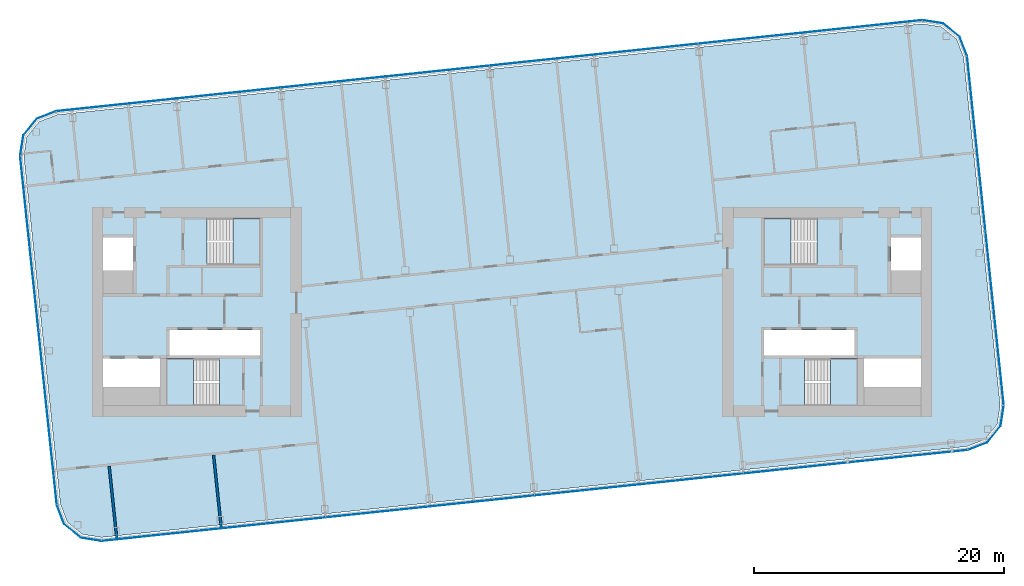
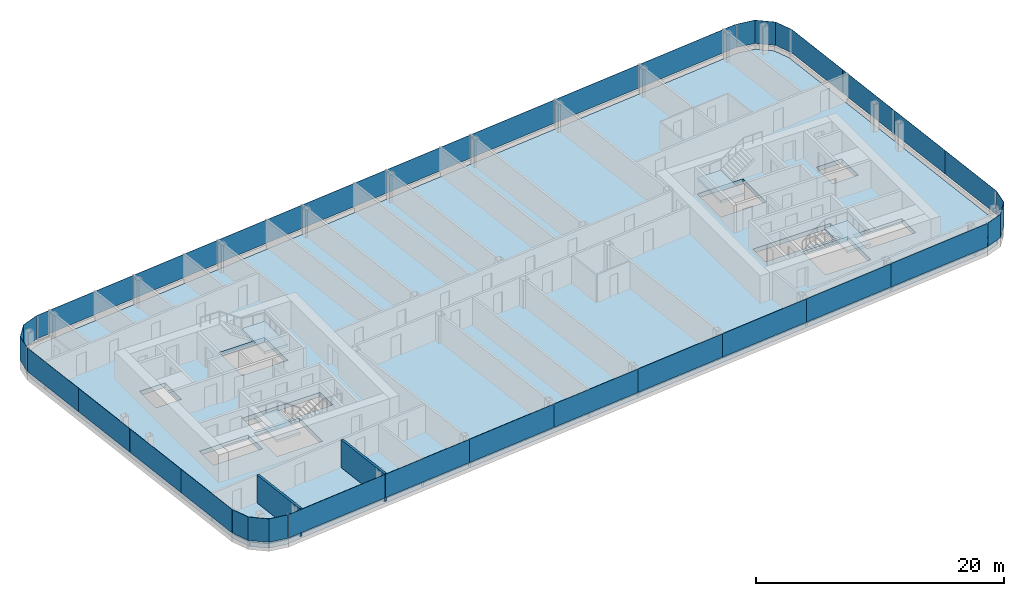
# One storey, part 13 of 26: 28 plates, 5 slabs, 2 walls, 12 elements without a shape of their own.
"""IFC4 building model written with IfcOpenShell, lengths in metres."""

from ifc_helpers import new_model, si_unit, direction, frame, frame_2d, origin, origin_2d, place, context, subcontext, project, spatial, polyline, rectangle, outline, extrude, material, layer, layer_set, type_object, element, aggregate, save


model = new_model("IFC4")

# Units and contexts
model_context = context("Model", 3, precision=1e-05, world=origin(), true_north=direction((0.0, 1.0)))
body_context = subcontext(model_context, "Body", "Model", "MODEL_VIEW")
ifc_project = project(units=[si_unit("LENGTHUNIT", "METRE"), si_unit("AREAUNIT", "SQUARE_METRE"), si_unit("VOLUMEUNIT", "CUBIC_METRE"), si_unit("PLANEANGLEUNIT", "RADIAN"), si_unit("MASSUNIT", "GRAM", prefix="KILO")], contexts=[model_context])

# Site, building, storey
site_placement = place(None, origin())
site = spatial("IfcSite", under=ifc_project, at=site_placement, CompositionType="ELEMENT")
building_placement = place(site_placement, origin())
building = spatial("IfcBuilding", under=site, at=building_placement, Name="Hakoniwa Tower and Hamabe Station Hall", CompositionType="ELEMENT")
storey_placement = place(building_placement, frame((0.0, 0.0, 251.800048828125)))
storey = spatial("IfcBuildingStorey", under=building, at=storey_placement, Name="L71", CompositionType="ELEMENT", Elevation=251.800048828125)

# Stair, slab
ifc_material_1 = material(Name="Concrete C40", Category="concrete")
stair_type = type_object("IfcStairType", Name="ESCAPE STAIR 1800", PredefinedType="HALF_TURN_STAIR", material=ifc_material_1)
stair_1_placement = place(storey_placement, origin())
stair_1 = element("IfcStair", 1, at=stair_1_placement, inside=storey, type_object=stair_type, Name="Escape stair ST-1 L71", PredefinedType="HALF_TURN_STAIR")
ifc_material_2 = material(Name="Concrete C40", Category="concrete")
ifc_layer_1 = layer(ifc_material_2, 0.25)
ifc_layer_set_1 = layer_set([ifc_layer_1], Name="CORE STAIR LANDING 250")
slab_type_1 = type_object("IfcSlabType", Name="CORE STAIR LANDING 250", PredefinedType="LANDING", material=ifc_layer_set_1)
slab_1_placement = place(storey_placement, frame((0.0, 0.0, 1.349853515625)))
slab_1 = element("IfcSlab", 2, at=slab_1_placement, type_object=slab_type_1, Name="ST-1 landing 1", PredefinedType="LANDING", context=body_context, shape_type="SweptSolid", body=[
    extrude(outline(polyline([(-22.320068359375, 3.75), (-20.14990234375, 3.75), (-20.14990234375, 7.5), (-22.320068359375, 7.5), (-22.320068359375, 3.75)])), origin(), (0.0, 0.0, 1.0), 0.25),
])
aggregate(stair_1, [slab_1])

stair_2_placement = place(storey_placement, origin())
stair_2 = element("IfcStair", 3, at=stair_2_placement, inside=storey, type_object=stair_type, Name="Escape stair ST-2 L71", PredefinedType="HALF_TURN_STAIR")
slab_2_placement = place(storey_placement, frame((0.0, 0.0, 1.349853515625)))
slab_2 = element("IfcSlab", 4, at=slab_2_placement, type_object=slab_type_1, Name="ST-2 landing 1", PredefinedType="LANDING", context=body_context, shape_type="SweptSolid", body=[
    extrude(outline(polyline([(-25.47998046875, -7.5), (-27.64990234375, -7.5), (-27.64990234375, -3.75), (-25.47998046875, -3.75), (-25.47998046875, -7.5)])), origin(), (0.0, 0.0, 1.0), 0.25),
])
aggregate(stair_2, [slab_2])

stair_3_placement = place(storey_placement, origin())
stair_3 = element("IfcStair", 5, at=stair_3_placement, inside=storey, type_object=stair_type, Name="Escape stair ST-3 L71", PredefinedType="HALF_TURN_STAIR")
slab_3_placement = place(storey_placement, frame((0.0, 0.0, 1.349853515625)))
slab_3 = element("IfcSlab", 6, at=slab_3_placement, type_object=slab_type_1, Name="ST-3 landing 1", PredefinedType="LANDING", context=body_context, shape_type="SweptSolid", body=[
    extrude(outline(polyline([(22.320068359375, 3.75), (20.14990234375, 3.75), (20.14990234375, 7.5), (22.320068359375, 7.5), (22.320068359375, 3.75)])), origin(), (0.0, 0.0, 1.0), 0.25),
])
aggregate(stair_3, [slab_3])

stair_4_placement = place(storey_placement, origin())
stair_4 = element("IfcStair", 7, at=stair_4_placement, inside=storey, type_object=stair_type, Name="Escape stair ST-4 L71", PredefinedType="HALF_TURN_STAIR")
slab_4_placement = place(storey_placement, frame((0.0, 0.0, 1.349853515625)))
slab_4 = element("IfcSlab", 8, at=slab_4_placement, type_object=slab_type_1, Name="ST-4 landing 1", PredefinedType="LANDING", context=body_context, shape_type="SweptSolid", body=[
    extrude(outline(polyline([(25.47998046875, -7.5), (27.64990234375, -7.5), (27.64990234375, -3.75), (25.47998046875, -3.75), (25.47998046875, -7.5)])), origin(), (0.0, 0.0, 1.0), 0.25),
])
aggregate(stair_4, [slab_4])

# Curtain wall, plates
ifc_material_3 = material(Name="Dark low-e laminated glass", Category="glass")
ifc_layer_2 = layer(ifc_material_3, 0.199951171875)
ifc_layer_set_2 = layer_set([ifc_layer_2], Name="CW-1 UNITISED GUEST")
curtain_wall_type = type_object("IfcCurtainWallType", Name="CW-1 UNITISED GUEST", PredefinedType="NOTDEFINED", material=ifc_layer_set_2)
curtain_wall_1_placement = place(storey_placement, origin())
curtain_wall_1 = element("IfcCurtainWall", 9, at=curtain_wall_1_placement, inside=storey, type_object=curtain_wall_type, Name="CW-1 curtain wall", PredefinedType="NOTDEFINED")
ifc_material_4 = material(Name="Dark low-e laminated glass", Category="glass")
ifc_layer_3 = layer(ifc_material_4, 0.028076171875)
ifc_layer_set_3 = layer_set([ifc_layer_3], Name="CW-1 GLASS UNIT")
plate_type = type_object("IfcPlateType", Name="CW-1 GLASS UNIT", PredefinedType="CURTAIN_PANEL", material=ifc_layer_set_3)
plate_1_placement = place(storey_placement, frame((38.97802734375, -3.990966796875, 0.35009765625), z_axis=(0.0, 0.0, 1.0), x_axis=(-0.104528468631, 0.994521894805, 0.0)))
plate_1 = element("IfcPlate", 10, at=plate_1_placement, type_object=plate_type, Name="CW-1 glass unit", PredefinedType="CURTAIN_PANEL", context=body_context, shape_type="SweptSolid", body=[
    extrude(rectangle(XDim=6.999755859375, YDim=0.028076171875, at=origin_2d()), origin(), (0.0, 0.0, 1.0), 2.300048828125),
])
plate_2_placement = place(storey_placement, frame((38.244140625, 2.990478515625, 0.35009765625), z_axis=(0.0, 0.0, 1.0), x_axis=(-0.104528468631, 0.994521894805, 0.0)))
plate_2 = element("IfcPlate", 11, at=plate_2_placement, type_object=plate_type, Name="CW-1 glass unit", PredefinedType="CURTAIN_PANEL", context=body_context, shape_type="SweptSolid", body=[
    extrude(rectangle(XDim=6.999755859375, YDim=0.028076171875, at=origin_2d()), origin(), (0.0, 0.0, 1.0), 2.300048828125),
])
plate_3_placement = place(storey_placement, frame((37.510498046875, 9.9716796875, 0.35009765625), z_axis=(0.0, 0.0, 1.0), x_axis=(-0.104528468631, 0.994521894805, 0.0)))
plate_3 = element("IfcPlate", 12, at=plate_3_placement, type_object=plate_type, Name="CW-1 glass unit", PredefinedType="CURTAIN_PANEL", context=body_context, shape_type="SweptSolid", body=[
    extrude(rectangle(XDim=6.999755859375, YDim=0.028076171875, at=origin_2d()), origin(), (0.0, 0.0, 1.0), 2.300048828125),
])
plate_4_placement = place(storey_placement, frame((36.776611328125, 16.953125, 0.35009765625), z_axis=(0.0, 0.0, 1.0), x_axis=(-0.104528468631, 0.994521894805, 0.0)))
plate_4 = element("IfcPlate", 13, at=plate_4_placement, type_object=plate_type, Name="CW-1 glass unit", PredefinedType="CURTAIN_PANEL", context=body_context, shape_type="SweptSolid", body=[
    extrude(rectangle(XDim=6.999755859375, YDim=0.028076171875, at=origin_2d()), origin(), (0.0, 0.0, 1.0), 2.300048828125),
])
aggregate(curtain_wall_1, [plate_1, plate_2, plate_3, plate_4])

# Curtain wall, plate
curtain_wall_2_placement = place(storey_placement, origin())
curtain_wall_2 = element("IfcCurtainWall", 14, at=curtain_wall_2_placement, inside=storey, type_object=curtain_wall_type, Name="CW-1 curtain wall", PredefinedType="NOTDEFINED")
plate_5_placement = place(storey_placement, frame((0.0, 0.0, 0.349853515625)))
plate_5 = element("IfcPlate", 15, at=plate_5_placement, type_object=plate_type, Name="CW-1 curved corner unit", PredefinedType="CURTAIN_PANEL", context=body_context, shape_type="SweptSolid", body=[
    extrude(outline(polyline([(36.409423828125, 20.482421875), (35.82421875, 22.0068359375), (34.492431640625, 23.085205078125), (32.8798828125, 23.340576171875), (32.87548828125, 23.31298828125), (34.480712890625, 23.058837890625), (35.80078125, 21.98974609375), (36.38330078125, 20.472412109375), (36.409423828125, 20.482421875)])), origin(), (0.0, 0.0, 1.0), 2.300048828125),
])
aggregate(curtain_wall_2, [plate_5])

# Curtain wall, plates
curtain_wall_3_placement = place(storey_placement, origin())
curtain_wall_3 = element("IfcCurtainWall", 16, at=curtain_wall_3_placement, inside=storey, type_object=curtain_wall_type, Name="CW-1 curtain wall", PredefinedType="NOTDEFINED")
plate_6_placement = place(storey_placement, frame((28.04833984375, 22.829345703125, 0.35009765625), z_axis=(0.0, 0.0, 1.0), x_axis=(-0.994521895272, -0.104528464188, 0.0)))
plate_6 = element("IfcPlate", 17, at=plate_6_placement, type_object=plate_type, Name="CW-1 glass unit", PredefinedType="CURTAIN_PANEL", context=body_context, shape_type="SweptSolid", body=[
    extrude(rectangle(XDim=9.619384765625, YDim=0.028076171875, at=origin_2d()), origin(), (0.0, 0.0, 1.0), 2.300048828125),
])
plate_7_placement = place(storey_placement, frame((19.078125, 21.886474609375, 0.35009765625), z_axis=(0.0, 0.0, 1.0), x_axis=(-0.994521895272, -0.104528464188, 0.0)))
plate_7 = element("IfcPlate", 18, at=plate_7_placement, type_object=plate_type, Name="CW-1 glass unit", PredefinedType="CURTAIN_PANEL", context=body_context, shape_type="SweptSolid", body=[
    extrude(rectangle(XDim=8.3798828125, YDim=0.028076171875, at=origin_2d()), origin(), (0.0, 0.0, 1.0), 2.300048828125),
])
plate_8_placement = place(storey_placement, frame((10.72412109375, 21.00830078125, 0.35009765625), z_axis=(0.0, 0.0, 1.0), x_axis=(-0.994521895272, -0.104528464188, 0.0)))
plate_8 = element("IfcPlate", 19, at=plate_8_placement, type_object=plate_type, Name="CW-1 glass unit", PredefinedType="CURTAIN_PANEL", context=body_context, shape_type="SweptSolid", body=[
    extrude(rectangle(XDim=8.3798828125, YDim=0.028076171875, at=origin_2d()), origin(), (0.0, 0.0, 1.0), 2.300048828125),
])
plate_9_placement = place(storey_placement, frame((2.3701171875, 20.13037109375, 0.35009765625), z_axis=(0.0, 0.0, 1.0), x_axis=(-0.994521895272, -0.104528464188, 0.0)))
plate_9 = element("IfcPlate", 20, at=plate_9_placement, type_object=plate_type, Name="CW-1 glass unit", PredefinedType="CURTAIN_PANEL", context=body_context, shape_type="SweptSolid", body=[
    extrude(rectangle(XDim=8.3798828125, YDim=0.028076171875, at=origin_2d()), origin(), (0.0, 0.0, 1.0), 2.300048828125),
])
plate_10_placement = place(storey_placement, frame((-5.98388671875, 19.252197265625, 0.35009765625), z_axis=(0.0, 0.0, 1.0), x_axis=(-0.994521895272, -0.104528464188, 0.0)))
plate_10 = element("IfcPlate", 21, at=plate_10_placement, type_object=plate_type, Name="CW-1 glass unit", PredefinedType="CURTAIN_PANEL", context=body_context, shape_type="SweptSolid", body=[
    extrude(rectangle(XDim=8.3798828125, YDim=0.028076171875, at=origin_2d()), origin(), (0.0, 0.0, 1.0), 2.300048828125),
])
plate_11_placement = place(storey_placement, frame((-14.337890625, 18.374267578125, 0.35009765625), z_axis=(0.0, 0.0, 1.0), x_axis=(-0.994521895272, -0.104528464188, 0.0)))
plate_11 = element("IfcPlate", 22, at=plate_11_placement, type_object=plate_type, Name="CW-1 glass unit", PredefinedType="CURTAIN_PANEL", context=body_context, shape_type="SweptSolid", body=[
    extrude(rectangle(XDim=8.3798828125, YDim=0.028076171875, at=origin_2d()), origin(), (0.0, 0.0, 1.0), 2.300048828125),
])
plate_12_placement = place(storey_placement, frame((-22.69189453125, 17.49609375, 0.35009765625), z_axis=(0.0, 0.0, 1.0), x_axis=(-0.994521895272, -0.104528464188, 0.0)))
plate_12 = element("IfcPlate", 23, at=plate_12_placement, type_object=plate_type, Name="CW-1 glass unit", PredefinedType="CURTAIN_PANEL", context=body_context, shape_type="SweptSolid", body=[
    extrude(rectangle(XDim=8.3798828125, YDim=0.028076171875, at=origin_2d()), origin(), (0.0, 0.0, 1.0), 2.300048828125),
])
plate_13_placement = place(storey_placement, frame((-31.662109375, 16.553466796875, 0.35009765625), z_axis=(0.0, 0.0, 1.0), x_axis=(-0.994521895272, -0.104528464188, 0.0)))
plate_13 = element("IfcPlate", 24, at=plate_13_placement, type_object=plate_type, Name="CW-1 glass unit", PredefinedType="CURTAIN_PANEL", context=body_context, shape_type="SweptSolid", body=[
    extrude(rectangle(XDim=9.619384765625, YDim=0.028076171875, at=origin_2d()), origin(), (0.0, 0.0, 1.0), 2.300048828125),
])
aggregate(curtain_wall_3, [plate_6, plate_7, plate_8, plate_9, plate_10, plate_11, plate_12, plate_13])

# Curtain wall, plate
curtain_wall_4_placement = place(storey_placement, origin())
curtain_wall_4 = element("IfcCurtainWall", 25, at=curtain_wall_4_placement, inside=storey, type_object=curtain_wall_type, Name="CW-1 curtain wall", PredefinedType="NOTDEFINED")
plate_14_placement = place(storey_placement, frame((0.0, 0.0, 0.349853515625)))
plate_14 = element("IfcPlate", 26, at=plate_14_placement, type_object=plate_type, Name="CW-1 curved corner unit", PredefinedType="CURTAIN_PANEL", context=body_context, shape_type="SweptSolid", body=[
    extrude(outline(polyline([(-36.494384765625, 16.049072265625), (-38.0185546875, 15.464111328125), (-39.09716796875, 14.13232421875), (-39.3525390625, 12.51953125), (-39.324951171875, 12.51513671875), (-39.070556640625, 14.120361328125), (-38.001708984375, 15.440673828125), (-36.484375, 16.02294921875), (-36.494384765625, 16.049072265625)])), origin(), (0.0, 0.0, 1.0), 2.300048828125),
])
aggregate(curtain_wall_4, [plate_14])

# Curtain wall, plates
curtain_wall_5_placement = place(storey_placement, origin())
curtain_wall_5 = element("IfcCurtainWall", 27, at=curtain_wall_5_placement, inside=storey, type_object=curtain_wall_type, Name="CW-1 curtain wall", PredefinedType="NOTDEFINED")
plate_15_placement = place(storey_placement, frame((-38.97802734375, 8.990966796875, 0.35009765625), z_axis=(0.0, 0.0, 1.0), x_axis=(0.104528468631, -0.994521894805, 0.0)))
plate_15 = element("IfcPlate", 28, at=plate_15_placement, type_object=plate_type, Name="CW-1 glass unit", PredefinedType="CURTAIN_PANEL", context=body_context, shape_type="SweptSolid", body=[
    extrude(rectangle(XDim=6.999755859375, YDim=0.028076171875, at=origin_2d()), origin(), (0.0, 0.0, 1.0), 2.300048828125),
])
plate_16_placement = place(storey_placement, frame((-38.244140625, 2.009521484375, 0.35009765625), z_axis=(0.0, 0.0, 1.0), x_axis=(0.104528468631, -0.994521894805, 0.0)))
plate_16 = element("IfcPlate", 29, at=plate_16_placement, type_object=plate_type, Name="CW-1 glass unit", PredefinedType="CURTAIN_PANEL", context=body_context, shape_type="SweptSolid", body=[
    extrude(rectangle(XDim=6.999755859375, YDim=0.028076171875, at=origin_2d()), origin(), (0.0, 0.0, 1.0), 2.300048828125),
])
plate_17_placement = place(storey_placement, frame((-37.510498046875, -4.9716796875, 0.35009765625), z_axis=(0.0, 0.0, 1.0), x_axis=(0.104528468631, -0.994521894805, 0.0)))
plate_17 = element("IfcPlate", 30, at=plate_17_placement, type_object=plate_type, Name="CW-1 glass unit", PredefinedType="CURTAIN_PANEL", context=body_context, shape_type="SweptSolid", body=[
    extrude(rectangle(XDim=6.999755859375, YDim=0.028076171875, at=origin_2d()), origin(), (0.0, 0.0, 1.0), 2.300048828125),
])
plate_18_placement = place(storey_placement, frame((-36.776611328125, -11.953125, 0.35009765625), z_axis=(0.0, 0.0, 1.0), x_axis=(0.104528468631, -0.994521894805, 0.0)))
plate_18 = element("IfcPlate", 31, at=plate_18_placement, type_object=plate_type, Name="CW-1 glass unit", PredefinedType="CURTAIN_PANEL", context=body_context, shape_type="SweptSolid", body=[
    extrude(rectangle(XDim=6.999755859375, YDim=0.028076171875, at=origin_2d()), origin(), (0.0, 0.0, 1.0), 2.300048828125),
])
aggregate(curtain_wall_5, [plate_15, plate_16, plate_17, plate_18])

# Curtain wall, plate
curtain_wall_6_placement = place(storey_placement, origin())
curtain_wall_6 = element("IfcCurtainWall", 32, at=curtain_wall_6_placement, inside=storey, type_object=curtain_wall_type, Name="CW-1 curtain wall", PredefinedType="NOTDEFINED")
plate_19_placement = place(storey_placement, frame((0.0, 0.0, 0.349853515625)))
plate_19 = element("IfcPlate", 33, at=plate_19_placement, type_object=plate_type, Name="CW-1 curved corner unit", PredefinedType="CURTAIN_PANEL", context=body_context, shape_type="SweptSolid", body=[
    extrude(outline(polyline([(-36.409423828125, -15.482421875), (-35.82421875, -17.0068359375), (-34.492431640625, -18.085205078125), (-32.8798828125, -18.340576171875), (-32.87548828125, -18.31298828125), (-34.480712890625, -18.058837890625), (-35.80078125, -16.98974609375), (-36.38330078125, -15.472412109375), (-36.409423828125, -15.482421875)])), origin(), (0.0, 0.0, 1.0), 2.300048828125),
])
aggregate(curtain_wall_6, [plate_19])

# Curtain wall, plates
curtain_wall_7_placement = place(storey_placement, origin())
curtain_wall_7 = element("IfcCurtainWall", 34, at=curtain_wall_7_placement, inside=storey, type_object=curtain_wall_type, Name="CW-1 curtain wall", PredefinedType="NOTDEFINED")
plate_20_placement = place(storey_placement, frame((-28.04833984375, -17.829345703125, 0.35009765625), z_axis=(0.0, 0.0, 1.0), x_axis=(0.994521895272, 0.104528464188, 0.0)))
plate_20 = element("IfcPlate", 35, at=plate_20_placement, type_object=plate_type, Name="CW-1 glass unit", PredefinedType="CURTAIN_PANEL", context=body_context, shape_type="SweptSolid", body=[
    extrude(rectangle(XDim=9.619384765625, YDim=0.028076171875, at=origin_2d()), origin(), (0.0, 0.0, 1.0), 2.300048828125),
])
plate_21_placement = place(storey_placement, frame((-19.078125, -16.886474609375, 0.35009765625), z_axis=(0.0, 0.0, 1.0), x_axis=(0.994521895272, 0.104528464188, 0.0)))
plate_21 = element("IfcPlate", 36, at=plate_21_placement, type_object=plate_type, Name="CW-1 glass unit", PredefinedType="CURTAIN_PANEL", context=body_context, shape_type="SweptSolid", body=[
    extrude(rectangle(XDim=8.3798828125, YDim=0.028076171875, at=origin_2d()), origin(), (0.0, 0.0, 1.0), 2.300048828125),
])
plate_22_placement = place(storey_placement, frame((-10.72412109375, -16.00830078125, 0.35009765625), z_axis=(0.0, 0.0, 1.0), x_axis=(0.994521895272, 0.104528464188, 0.0)))
plate_22 = element("IfcPlate", 37, at=plate_22_placement, type_object=plate_type, Name="CW-1 glass unit", PredefinedType="CURTAIN_PANEL", context=body_context, shape_type="SweptSolid", body=[
    extrude(rectangle(XDim=8.3798828125, YDim=0.028076171875, at=origin_2d()), origin(), (0.0, 0.0, 1.0), 2.300048828125),
])
plate_23_placement = place(storey_placement, frame((-2.3701171875, -15.13037109375, 0.35009765625), z_axis=(0.0, 0.0, 1.0), x_axis=(0.994521895272, 0.104528464188, 0.0)))
plate_23 = element("IfcPlate", 38, at=plate_23_placement, type_object=plate_type, Name="CW-1 glass unit", PredefinedType="CURTAIN_PANEL", context=body_context, shape_type="SweptSolid", body=[
    extrude(rectangle(XDim=8.3798828125, YDim=0.028076171875, at=origin_2d()), origin(), (0.0, 0.0, 1.0), 2.300048828125),
])
plate_24_placement = place(storey_placement, frame((5.98388671875, -14.252197265625, 0.35009765625), z_axis=(0.0, 0.0, 1.0), x_axis=(0.994521895272, 0.104528464188, 0.0)))
plate_24 = element("IfcPlate", 39, at=plate_24_placement, type_object=plate_type, Name="CW-1 glass unit", PredefinedType="CURTAIN_PANEL", context=body_context, shape_type="SweptSolid", body=[
    extrude(rectangle(XDim=8.3798828125, YDim=0.028076171875, at=origin_2d()), origin(), (0.0, 0.0, 1.0), 2.300048828125),
])
plate_25_placement = place(storey_placement, frame((14.337890625, -13.374267578125, 0.35009765625), z_axis=(0.0, 0.0, 1.0), x_axis=(0.994521895272, 0.104528464188, 0.0)))
plate_25 = element("IfcPlate", 40, at=plate_25_placement, type_object=plate_type, Name="CW-1 glass unit", PredefinedType="CURTAIN_PANEL", context=body_context, shape_type="SweptSolid", body=[
    extrude(rectangle(XDim=8.3798828125, YDim=0.028076171875, at=origin_2d()), origin(), (0.0, 0.0, 1.0), 2.300048828125),
])
plate_26_placement = place(storey_placement, frame((22.69189453125, -12.49609375, 0.35009765625), z_axis=(0.0, 0.0, 1.0), x_axis=(0.994521895272, 0.104528464188, 0.0)))
plate_26 = element("IfcPlate", 41, at=plate_26_placement, type_object=plate_type, Name="CW-1 glass unit", PredefinedType="CURTAIN_PANEL", context=body_context, shape_type="SweptSolid", body=[
    extrude(rectangle(XDim=8.3798828125, YDim=0.028076171875, at=origin_2d()), origin(), (0.0, 0.0, 1.0), 2.300048828125),
])
plate_27_placement = place(storey_placement, frame((31.662109375, -11.553466796875, 0.35009765625), z_axis=(0.0, 0.0, 1.0), x_axis=(0.994521895272, 0.104528464188, 0.0)))
plate_27 = element("IfcPlate", 42, at=plate_27_placement, type_object=plate_type, Name="CW-1 glass unit", PredefinedType="CURTAIN_PANEL", context=body_context, shape_type="SweptSolid", body=[
    extrude(rectangle(XDim=9.619384765625, YDim=0.028076171875, at=origin_2d()), origin(), (0.0, 0.0, 1.0), 2.300048828125),
])
aggregate(curtain_wall_7, [plate_20, plate_21, plate_22, plate_23, plate_24, plate_25, plate_26, plate_27])

# Curtain wall, plate
curtain_wall_8_placement = place(storey_placement, origin())
curtain_wall_8 = element("IfcCurtainWall", 43, at=curtain_wall_8_placement, inside=storey, type_object=curtain_wall_type, Name="CW-1 curtain wall", PredefinedType="NOTDEFINED")
plate_28_placement = place(storey_placement, frame((0.0, 0.0, 0.349853515625)))
plate_28 = element("IfcPlate", 44, at=plate_28_placement, type_object=plate_type, Name="CW-1 curved corner unit", PredefinedType="CURTAIN_PANEL", context=body_context, shape_type="SweptSolid", body=[
    extrude(outline(polyline([(36.494384765625, -11.049072265625), (38.0185546875, -10.464111328125), (39.09716796875, -9.13232421875), (39.3525390625, -7.51953125), (39.324951171875, -7.51513671875), (39.070556640625, -9.120361328125), (38.001708984375, -10.440673828125), (36.484375, -11.02294921875), (36.494384765625, -11.049072265625)])), origin(), (0.0, 0.0, 1.0), 2.300048828125),
])
aggregate(curtain_wall_8, [plate_28])

# Slab
ifc_material_5 = material(Name="Concrete C42", Category="concrete")
ifc_layer_4 = layer(ifc_material_5, 0.449951171875)
ifc_layer_set_4 = layer_set([ifc_layer_4], Name="PT FLAT PLATE 450")
slab_type_2 = type_object("IfcSlabType", Name="PT FLAT PLATE 450", PredefinedType="FLOOR", material=ifc_layer_set_4)
slab_5_placement = place(storey_placement, frame((0.0, 0.0, -0.449951171875)))
element("IfcSlab", 45, at=slab_5_placement, inside=storey, type_object=slab_type_2, Name="Floor slab L71", PredefinedType="FLOOR", context=body_context, shape_type="SweptSolid", body=[
    extrude(outline(polyline([(39.056396484375, -7.47216796875), (36.12939453125, 20.37451171875), (35.572998046875, 21.82421875), (34.3662109375, 22.801513671875), (32.83251953125, 23.04443359375), (-36.38623046875, 15.769287109375), (-37.836181640625, 15.212890625), (-38.8134765625, 14.005859375), (-39.056396484375, 12.47216796875), (-36.12939453125, -15.37451171875), (-35.572998046875, -16.82421875), (-34.3662109375, -17.801513671875), (-32.83251953125, -18.04443359375), (36.38623046875, -10.769287109375), (37.836181640625, -10.212890625), (38.8134765625, -9.005859375), (39.056396484375, -7.47216796875)]), holes=[polyline([(-27.39990234375, -3.5), (-27.39990234375, -1.449951171875), (-20.14990234375, -1.449951171875), (-20.14990234375, -3.5), (-27.39990234375, -3.5)]), polyline([(-32.699951171875, 3.300048828125), (-32.699951171875, 5.949951171875), (-30.300048828125, 5.949951171875), (-30.300048828125, 3.300048828125), (-32.699951171875, 3.300048828125)]), polyline([(-32.699951171875, -6.0), (-32.699951171875, -3.75), (-28.14990234375, -3.75), (-28.14990234375, -6.0), (-32.699951171875, -6.0)]), polyline([(-24.389892578125, 3.75), (-24.389892578125, 7.5), (-20.14990234375, 7.5), (-20.14990234375, 3.75), (-24.389892578125, 3.75)]), polyline([(-27.64990234375, -7.5), (-27.64990234375, -3.75), (-23.409912109375, -3.75), (-23.409912109375, -7.5), (-27.64990234375, -7.5)]), polyline([(20.14990234375, -3.5), (20.14990234375, -1.449951171875), (27.39990234375, -1.449951171875), (27.39990234375, -3.5), (20.14990234375, -3.5)]), polyline([(30.300048828125, 3.300048828125), (30.300048828125, 5.949951171875), (32.699951171875, 5.949951171875), (32.699951171875, 3.300048828125), (30.300048828125, 3.300048828125)]), polyline([(28.14990234375, -6.0), (28.14990234375, -3.75), (32.699951171875, -3.75), (32.699951171875, -6.0), (28.14990234375, -6.0)]), polyline([(20.14990234375, 3.75), (20.14990234375, 7.5), (24.389892578125, 7.5), (24.389892578125, 3.75), (20.14990234375, 3.75)]), polyline([(23.409912109375, -7.5), (23.409912109375, -3.75), (27.64990234375, -3.75), (27.64990234375, -7.5), (23.409912109375, -7.5)])]), origin(), (0.0, 0.0, 1.0), 0.449951171875),
])

# Walls
ifc_material_6 = material(Name="Fire-rated gypsum board partition", Category="gypsum")
ifc_layer_5 = layer(ifc_material_6, 0.199951171875)
ifc_layer_set_5 = layer_set([ifc_layer_5], Name="Party Wall 200")
wall_type = type_object("IfcWallType", Name="Party Wall 200", PredefinedType="PARTITIONING", material=ifc_layer_set_5)
for number, where, z_axis, x_axis, name in (
    (46, (-31.607666015625, -18.21728515625, 0.0), (0.0, 0.0, 1.0), (-0.10453655107, 0.994521045273, 0.0), "GW-L71-011"),
    (47, (-23.253662109375, -17.33935546875, 0.0), (0.0, 0.0, 1.0), (-0.10453655107, 0.994521045273, 0.0), "GW-L71-014"),
):
    element("IfcWall", number, at=place(storey_placement, frame(where, z_axis=z_axis, x_axis=x_axis)), inside=storey, type_object=wall_type, Name=name, PredefinedType="PARTITIONING", context=body_context, shape_type="SweptSolid", body=[
        extrude(rectangle(XDim=5.915771484375, YDim=0.199951171875, at=frame_2d((2.9580078125, 0.0))), origin(), (0.0, 0.0, 1.0), 2.75),
    ])

save(model, "model.ifc")
